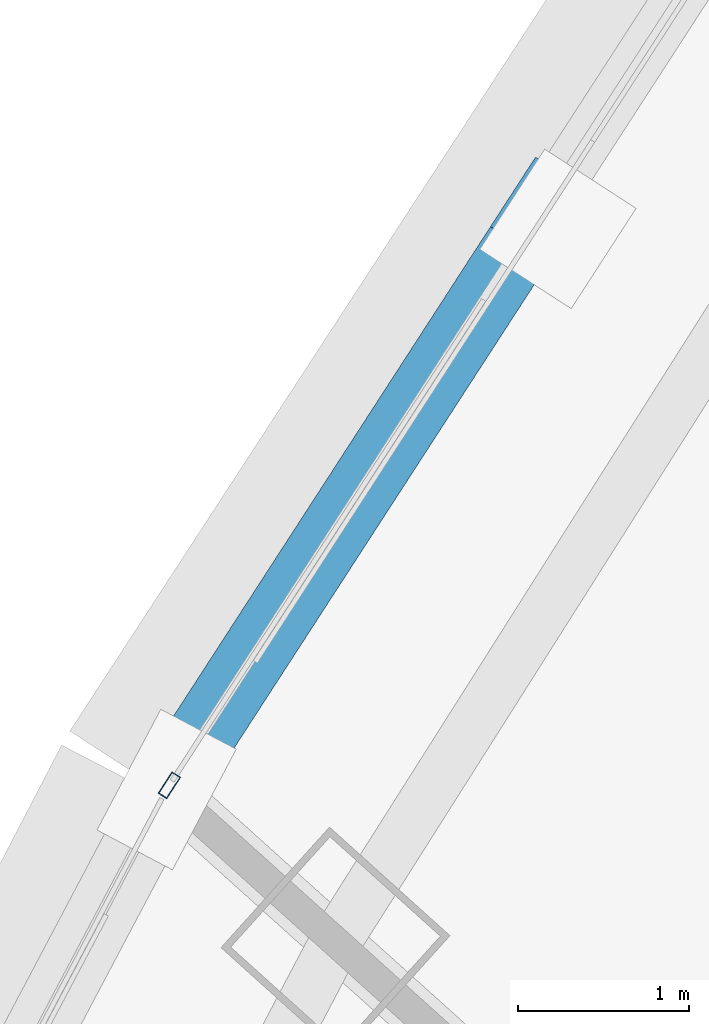
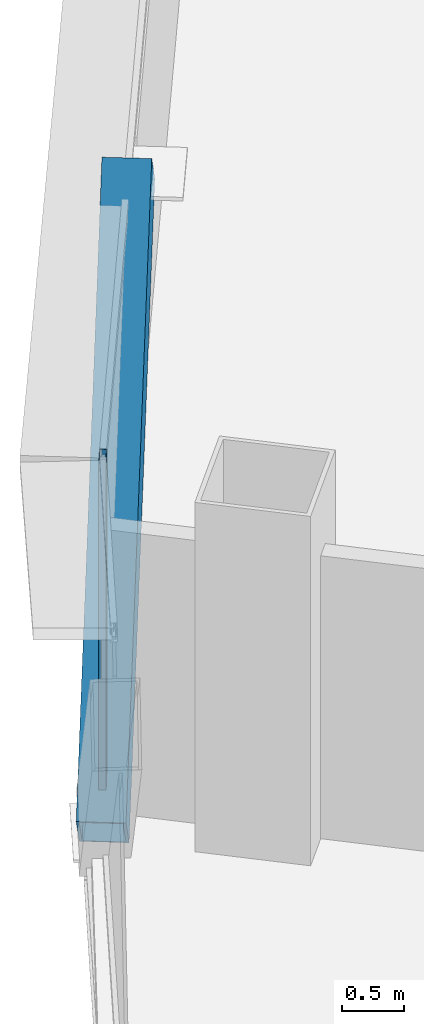
# One storey, part 18 of 40: 2 members, 1 element without a shape of its own.
"""IFC4 building model written with IfcOpenShell, lengths in metres."""

from ifc_helpers import new_model, si_unit, direction, frame, origin, origin_2d, place, context, subcontext, project, spatial, hollow_rectangle, extrude, source, transform, mapped, material, layer, layer_set, material_profile, profile_set, type_object, element, aggregate, save


model = new_model("IFC4")

# Units and contexts
model_context = context("Model", 3, precision=1e-05, world=origin(), true_north=direction((0.0, 1.0)))
body_context = subcontext(model_context, "Body", "Model", "MODEL_VIEW")
ifc_project = project(units=[si_unit("LENGTHUNIT", "METRE"), si_unit("AREAUNIT", "SQUARE_METRE"), si_unit("VOLUMEUNIT", "CUBIC_METRE"), si_unit("PLANEANGLEUNIT", "RADIAN"), si_unit("MASSUNIT", "GRAM", prefix="KILO"), si_unit("THERMODYNAMICTEMPERATUREUNIT", "KELVIN"), si_unit("POWERUNIT", "WATT")], contexts=[model_context])

# Site, building, storey
site_placement = place(None, origin())
site = spatial("IfcSite", under=ifc_project, at=site_placement, CompositionType="ELEMENT")
building_placement = place(site_placement, origin())
building = spatial("IfcBuilding", under=site, at=building_placement, Name="Yunzhuo Pagoda Commons", CompositionType="ELEMENT")
storey_placement = place(building_placement, frame((0.0, 0.0, 159.27001953125)))
storey = spatial("IfcBuildingStorey", under=building, at=storey_placement, Name="L40", CompositionType="ELEMENT", Elevation=159.27001953125)

# Member
ifc_material_1 = material(Name="Structural steel Q355B", Category="steel")
ifc_material_profile_1 = material_profile(ifc_material_1, hollow_rectangle(XDim=0.39990234375, YDim=0.719970703125, WallThickness=0.02392578125, at=origin_2d()), Name="Structural steel Q355B")
ifc_profile_set_1 = profile_set([ifc_material_profile_1], Name="Structural steel Q355B")
member_type_1 = type_object("IfcMemberType", Name="M-DL2 Brace BOX 720x400x24", PredefinedType="BRACE", material=ifc_profile_set_1)
shared_shape_1 = source(origin(), body_context, "Body", "SweptSolid", [
    extrude(hollow_rectangle(XDim=0.39990234375, YDim=0.719970703125, WallThickness=0.02392578125, at=origin_2d()), origin(), (0.0, 0.0, 1.0), 5.466552734375),
])
member_1_placement = place(storey_placement, frame((23.244384765625, 55.989990234375, -0.260009765625), z_axis=(0.401950076306, 0.620700240056, 0.673177055574), x_axis=(-0.839372417782, 0.543556753492, 0.0)))
element("IfcMember", 1, at=member_1_placement, inside=storey, type_object=member_type_1, Name="L40 facade diamond brace F3.1R", PredefinedType="BRACE", context=body_context, shape_type="MappedRepresentation", body=[
    mapped(shared_shape_1, transform((0.0, 0.0, 0.0), scale=1.0)),
])

# Curtain wall, member
ifc_material_2 = material(Name="Anodized aluminium 6063-T6", Category="aluminium")
ifc_layer = layer(ifc_material_2, 0.14990234375)
ifc_layer_set = layer_set([ifc_layer], Name="Anodized aluminium 6063-T6")
curtain_wall_type = type_object("IfcCurtainWallType", Name="CW-MID Mid-Zone Ribbon Curtain Wall", PredefinedType="NOTDEFINED", material=ifc_layer_set)
curtain_wall_placement = place(storey_placement, origin())
curtain_wall = element("IfcCurtainWall", 2, at=curtain_wall_placement, inside=storey, type_object=curtain_wall_type, Name="L40 curtain wall CW-L40-F3B2", PredefinedType="NOTDEFINED")
ifc_material_profile_2 = material_profile(ifc_material_2, hollow_rectangle(XDim=0.06005859375, YDim=0.14990234375, WallThickness=0.00390625, at=origin_2d()), Name="Anodized aluminium 6063-T6")
ifc_profile_set_2 = profile_set([ifc_material_profile_2], Name="Anodized aluminium 6063-T6")
member_type_2 = type_object("IfcMemberType", Name="CW-MID-M Mullion RHS 150x60x4", PredefinedType="MULLION", material=ifc_profile_set_2)
shared_shape_2 = source(origin(), body_context, "Body", "SweptSolid", [
    extrude(hollow_rectangle(XDim=0.06005859375, YDim=0.14990234375, WallThickness=0.00390625, at=origin_2d()), origin(), (0.0, 0.0, 1.0), 3.419677734375),
])
member_2_placement = place(storey_placement, frame((23.2607421875, 56.01513671875, 0.000244140625), z_axis=(0.0, 0.0, 1.0), x_axis=(0.839392571637, -0.543525630197, 0.0)))
member_2 = element("IfcMember", 3, at=member_2_placement, type_object=member_type_2, Name="CW mullion 2", PredefinedType="MULLION", context=body_context, shape_type="MappedRepresentation", body=[
    mapped(shared_shape_2, transform((0.0, 0.0, 0.0), scale=1.0)),
])
aggregate(curtain_wall, [member_2])

save(model, "model.ifc")
